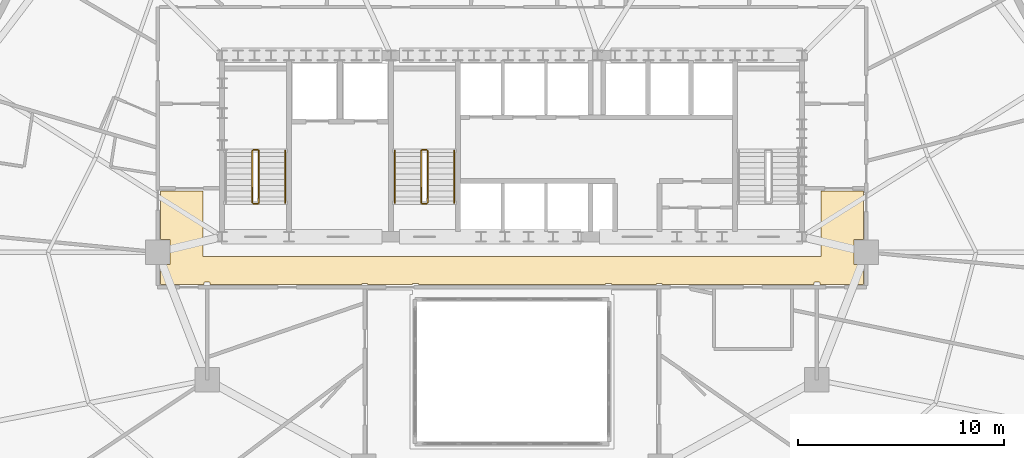
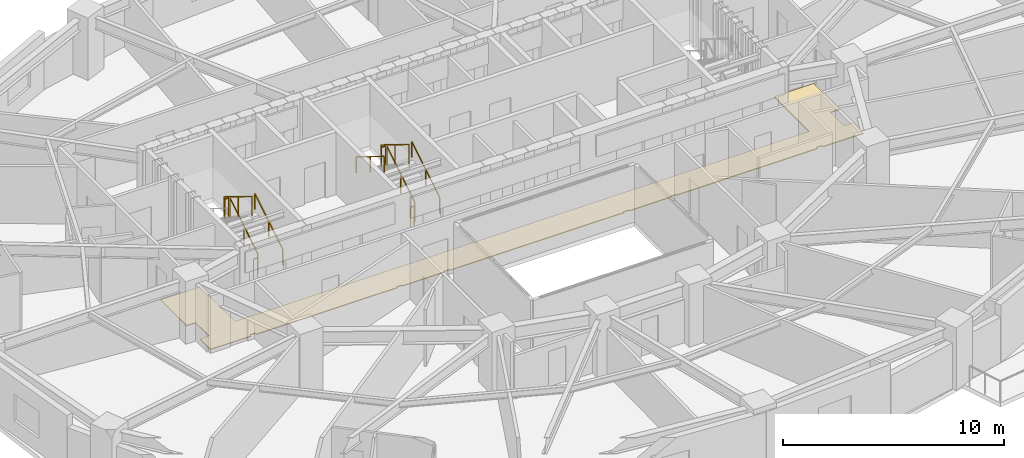
# One storey, part 13 of 14: 11 railings, 1 covering.
"""IFC4 building model written with IfcOpenShell, lengths in metres."""

from ifc_helpers import new_model, si_unit, direction, frame, origin, origin_2d, place, context, subcontext, project, spatial, polyline, rectangle, outline, extrude, material, layer, layer_set, type_object, element, save


model = new_model("IFC4")

# Units and contexts
model_context = context("Model", 3, precision=1e-05, world=origin(), true_north=direction((0.0, 1.0)))
body_context = subcontext(model_context, "Body", "Model", "MODEL_VIEW")
ifc_project = project(units=[si_unit("LENGTHUNIT", "METRE"), si_unit("AREAUNIT", "SQUARE_METRE"), si_unit("VOLUMEUNIT", "CUBIC_METRE"), si_unit("PLANEANGLEUNIT", "RADIAN"), si_unit("MASSUNIT", "GRAM", prefix="KILO")], contexts=[model_context])

# Site, building, storey
site_placement = place(None, origin())
site = spatial("IfcSite", under=ifc_project, at=site_placement, CompositionType="ELEMENT")
building_placement = place(site_placement, origin())
building = spatial("IfcBuilding", under=site, at=building_placement, Name="Haldorwick Loom Tower", CompositionType="ELEMENT")
storey_placement = place(building_placement, frame((0.0, 0.0, 102.5)))
storey = spatial("IfcBuildingStorey", under=building, at=storey_placement, Name="L27", CompositionType="ELEMENT", Elevation=102.5)

# Covering
ifc_material_1 = material(Name="Polished Aggregate Terrazzo Finish")
ifc_layer = layer(ifc_material_1, 0.044921875, Name="Polished Aggregate Terrazzo Finish")
ifc_layer_set = layer_set([ifc_layer], Name="Polished Aggregate Terrazzo Finish")
covering_type = type_object("IfcCoveringType", Name="ARC-COV-FLOOR2", PredefinedType="FLOORING", material=ifc_layer_set)
covering_placement = place(storey_placement, origin())
element("IfcCovering", 1, at=covering_placement, inside=storey, type_object=covering_type, Name="L27 Floor Finish 2", PredefinedType="FLOORING", context=body_context, shape_type="SweptSolid", body=[
    extrude(outline(polyline([(51.0, 28.9599609375), (51.0, 25.800048828125), (21.0, 25.800048828125), (21.0, 28.9599609375), (18.93994140625, 28.9599609375), (18.93994140625, 26.60791015625), (19.407958984375, 26.60791015625), (19.407958984375, 25.39208984375), (18.93994140625, 25.39208984375), (18.93994140625, 24.43994140625), (21.06005859375, 24.43994140625), (21.06005859375, 24.52001953125), (21.06005859375, 24.52197265625), (21.060302734375, 24.52392578125), (21.060791015625, 24.52587890625), (21.0615234375, 24.527587890625), (21.0625, 24.529296875), (21.0634765625, 24.531005859375), (21.064453125, 24.53271484375), (21.06591796875, 24.5341796875), (21.0673828125, 24.535400390625), (21.06884765625, 24.53662109375), (21.070556640625, 24.53759765625), (21.072265625, 24.53857421875), (21.07421875, 24.5390625), (21.076171875, 24.53955078125), (21.077880859375, 24.539794921875), (21.080078125, 24.5400390625), (21.320068359375, 24.5400390625), (21.322021484375, 24.539794921875), (21.323974609375, 24.53955078125), (21.32568359375, 24.5390625), (21.32763671875, 24.53857421875), (21.329345703125, 24.53759765625), (21.3310546875, 24.53662109375), (21.332763671875, 24.535400390625), (21.333984375, 24.5341796875), (21.33544921875, 24.53271484375), (21.336669921875, 24.531005859375), (21.337646484375, 24.529296875), (21.33837890625, 24.527587890625), (21.339111328125, 24.52587890625), (21.339599609375, 24.52392578125), (21.33984375, 24.52197265625), (21.340087890625, 24.52001953125), (21.340087890625, 24.43994140625), (28.7099609375, 24.43994140625), (28.7099609375, 24.469970703125), (28.710205078125, 24.471923828125), (28.71044921875, 24.473876953125), (28.7109375, 24.475830078125), (28.71142578125, 24.477783203125), (28.71240234375, 24.4794921875), (28.71337890625, 24.481201171875), (28.714599609375, 24.482666015625), (28.7158203125, 24.484130859375), (28.71728515625, 24.485595703125), (28.718994140625, 24.486572265625), (28.720703125, 24.487548828125), (28.722412109375, 24.488525390625), (28.72412109375, 24.489013671875), (28.72607421875, 24.489501953125), (28.72802734375, 24.489990234375), (28.72998046875, 24.489990234375), (28.969970703125, 24.489990234375), (28.971923828125, 24.489990234375), (28.973876953125, 24.489501953125), (28.975830078125, 24.489013671875), (28.977783203125, 24.488525390625), (28.9794921875, 24.487548828125), (28.981201171875, 24.486572265625), (28.982666015625, 24.485595703125), (28.984130859375, 24.484130859375), (28.985595703125, 24.482666015625), (28.986572265625, 24.481201171875), (28.987548828125, 24.4794921875), (28.988525390625, 24.477783203125), (28.989013671875, 24.475830078125), (28.989501953125, 24.473876953125), (28.989990234375, 24.471923828125), (28.989990234375, 24.469970703125), (28.989990234375, 24.43994140625), (31.179931640625, 24.43994140625), (31.179931640625, 24.469970703125), (31.18017578125, 24.471923828125), (31.180419921875, 24.473876953125), (31.180908203125, 24.475830078125), (31.181396484375, 24.477783203125), (31.182373046875, 24.4794921875), (31.183349609375, 24.481201171875), (31.1845703125, 24.482666015625), (31.185791015625, 24.484130859375), (31.187255859375, 24.485595703125), (31.18896484375, 24.486572265625), (31.190673828125, 24.487548828125), (31.1923828125, 24.488525390625), (31.194091796875, 24.489013671875), (31.196044921875, 24.489501953125), (31.197998046875, 24.489990234375), (31.199951171875, 24.489990234375), (31.43994140625, 24.489990234375), (31.44189453125, 24.489990234375), (31.44384765625, 24.489501953125), (31.44580078125, 24.489013671875), (31.44775390625, 24.488525390625), (31.449462890625, 24.487548828125), (31.451171875, 24.486572265625), (31.45263671875, 24.485595703125), (31.4541015625, 24.484130859375), (31.45556640625, 24.482666015625), (31.45654296875, 24.481201171875), (31.45751953125, 24.4794921875), (31.45849609375, 24.477783203125), (31.458984375, 24.475830078125), (31.459716796875, 24.473876953125), (31.4599609375, 24.471923828125), (31.4599609375, 24.469970703125), (31.4599609375, 24.43994140625), (40.5400390625, 24.43994140625), (40.5400390625, 24.469970703125), (40.5400390625, 24.471923828125), (40.540283203125, 24.473876953125), (40.541015625, 24.475830078125), (40.54150390625, 24.477783203125), (40.54248046875, 24.4794921875), (40.54345703125, 24.481201171875), (40.54443359375, 24.482666015625), (40.5458984375, 24.484130859375), (40.54736328125, 24.485595703125), (40.548828125, 24.486572265625), (40.550537109375, 24.487548828125), (40.55224609375, 24.488525390625), (40.55419921875, 24.489013671875), (40.55615234375, 24.489501953125), (40.55810546875, 24.489990234375), (40.56005859375, 24.489990234375), (40.800048828125, 24.489990234375), (40.802001953125, 24.489990234375), (40.803955078125, 24.489501953125), (40.805908203125, 24.489013671875), (40.8076171875, 24.488525390625), (40.809326171875, 24.487548828125), (40.81103515625, 24.486572265625), (40.812744140625, 24.485595703125), (40.814208984375, 24.484130859375), (40.8154296875, 24.482666015625), (40.816650390625, 24.481201171875), (40.817626953125, 24.4794921875), (40.818603515625, 24.477783203125), (40.819091796875, 24.475830078125), (40.819580078125, 24.473876953125), (40.81982421875, 24.471923828125), (40.820068359375, 24.469970703125), (40.820068359375, 24.43994140625), (43.010009765625, 24.43994140625), (43.010009765625, 24.469970703125), (43.010009765625, 24.471923828125), (43.010498046875, 24.473876953125), (43.010986328125, 24.475830078125), (43.011474609375, 24.477783203125), (43.012451171875, 24.4794921875), (43.013427734375, 24.481201171875), (43.014404296875, 24.482666015625), (43.015869140625, 24.484130859375), (43.017333984375, 24.485595703125), (43.018798828125, 24.486572265625), (43.0205078125, 24.487548828125), (43.022216796875, 24.488525390625), (43.024169921875, 24.489013671875), (43.026123046875, 24.489501953125), (43.028076171875, 24.489990234375), (43.030029296875, 24.489990234375), (43.27001953125, 24.489990234375), (43.27197265625, 24.489990234375), (43.27392578125, 24.489501953125), (43.27587890625, 24.489013671875), (43.277587890625, 24.488525390625), (43.279296875, 24.487548828125), (43.281005859375, 24.486572265625), (43.28271484375, 24.485595703125), (43.2841796875, 24.484130859375), (43.285400390625, 24.482666015625), (43.28662109375, 24.481201171875), (43.28759765625, 24.4794921875), (43.28857421875, 24.477783203125), (43.2890625, 24.475830078125), (43.28955078125, 24.473876953125), (43.289794921875, 24.471923828125), (43.2900390625, 24.469970703125), (43.2900390625, 24.43994140625), (50.659912109375, 24.43994140625), (50.659912109375, 24.52001953125), (50.66015625, 24.52197265625), (50.660400390625, 24.52392578125), (50.660888671875, 24.52587890625), (50.66162109375, 24.527587890625), (50.662353515625, 24.529296875), (50.663330078125, 24.531005859375), (50.66455078125, 24.53271484375), (50.666015625, 24.5341796875), (50.667236328125, 24.535400390625), (50.6689453125, 24.53662109375), (50.670654296875, 24.53759765625), (50.67236328125, 24.53857421875), (50.67431640625, 24.5390625), (50.676025390625, 24.53955078125), (50.677978515625, 24.539794921875), (50.679931640625, 24.5400390625), (50.919921875, 24.5400390625), (50.922119140625, 24.539794921875), (50.923828125, 24.53955078125), (50.92578125, 24.5390625), (50.927734375, 24.53857421875), (50.929443359375, 24.53759765625), (50.93115234375, 24.53662109375), (50.9326171875, 24.535400390625), (50.93408203125, 24.5341796875), (50.935546875, 24.53271484375), (50.9365234375, 24.531005859375), (50.9375, 24.529296875), (50.9384765625, 24.527587890625), (50.939208984375, 24.52587890625), (50.939697265625, 24.52392578125), (50.93994140625, 24.52197265625), (50.93994140625, 24.52001953125), (50.93994140625, 24.43994140625), (53.06005859375, 24.43994140625), (53.06005859375, 25.39208984375), (52.592041015625, 25.39208984375), (52.592041015625, 26.60791015625), (53.06005859375, 26.60791015625), (53.06005859375, 28.9599609375), (51.0, 28.9599609375)])), origin(), (0.0, 0.0, 1.0), 0.044921875),
])

# Railings
ifc_material_2 = material(Name="Steel CSA G40.21 350W", Category="steel")
railing_type_1 = type_object("IfcRailingType", Name="ARC-RLG-GUARD112", PredefinedType="GUARDRAIL", material=ifc_material_2)
railing_1_placement = place(storey_placement, frame((23.699951171875, 28.39990234375, 0.172607421875)))
element("IfcRailing", 2, at=railing_1_placement, inside=storey, type_object=railing_type_1, Name="L27 ST-01 stair guard 1", PredefinedType="GUARDRAIL", context=body_context, shape_type="SweptSolid", body=[
    extrude(rectangle(XDim=0.048095703125, YDim=0.048095703125, at=origin_2d()), frame((0.0, 0.0, 1.076171875), z_axis=(0.0, 0.851400495292, 0.524516154772), x_axis=(-1.0, 0.0, 0.0)), (0.0, 0.0, 1.0), 2.9599609375),
    extrude(rectangle(XDim=0.0419921875, YDim=0.0419921875, at=origin_2d()), origin(), (0.0, 0.0, 1.0), 1.052001953125),
    extrude(rectangle(XDim=0.0419921875, YDim=0.0419921875, at=origin_2d()), frame((0.0, 1.260009765625, 0.7763671875)), (0.0, 0.0, 1.0), 1.052001953125),
    extrude(rectangle(XDim=0.0419921875, YDim=0.0419921875, at=origin_2d()), frame((0.0, 2.52001953125, 1.552490234375)), (0.0, 0.0, 1.0), 1.052001953125),
])
railing_2_placement = place(storey_placement, frame((23.64990234375, 30.969970703125, 1.72509765625)))
element("IfcRailing", 3, at=railing_2_placement, inside=storey, type_object=railing_type_1, Name="L27 ST-01 stair guard 2", PredefinedType="GUARDRAIL", context=body_context, shape_type="SweptSolid", body=[
    extrude(rectangle(XDim=0.048095703125, YDim=0.048095703125, at=origin_2d()), frame((0.0, 0.0, 1.076171875), z_axis=(-1.0, 0.0, 0.0), x_axis=(0.0, -1.0, 0.0)), (0.0, 0.0, 1.0), 0.199951171875),
    extrude(rectangle(XDim=0.0419921875, YDim=0.0419921875, at=origin_2d()), origin(), (0.0, 0.0, 1.0), 1.052001953125),
    extrude(rectangle(XDim=0.0419921875, YDim=0.0419921875, at=origin_2d()), frame((-0.199951171875, 0.0, 0.0)), (0.0, 0.0, 1.0), 1.052001953125),
])
railing_3_placement = place(storey_placement, frame((23.39990234375, 30.919921875, 1.8974609375)))
element("IfcRailing", 4, at=railing_3_placement, inside=storey, type_object=railing_type_1, Name="L27 ST-01 stair guard 3", PredefinedType="GUARDRAIL", context=body_context, shape_type="SweptSolid", body=[
    extrude(rectangle(XDim=0.048095703125, YDim=0.048095703125, at=origin_2d()), frame((0.0, 0.0, 1.076171875), z_axis=(0.0, -0.851400495292, 0.524516154772), x_axis=(1.0, 0.0, 0.0)), (0.0, 0.0, 1.0), 2.9599609375),
    extrude(rectangle(XDim=0.0419921875, YDim=0.0419921875, at=origin_2d()), origin(), (0.0, 0.0, 1.0), 1.052001953125),
    extrude(rectangle(XDim=0.0419921875, YDim=0.0419921875, at=origin_2d()), frame((0.0, -1.260009765625, 0.7763671875)), (0.0, 0.0, 1.0), 1.052001953125),
    extrude(rectangle(XDim=0.0419921875, YDim=0.0419921875, at=origin_2d()), frame((0.0, -2.52001953125, 1.552490234375)), (0.0, 0.0, 1.0), 1.052001953125),
])
railing_4_placement = place(storey_placement, frame((23.64990234375, 28.35009765625, 0.0)))
element("IfcRailing", 5, at=railing_4_placement, inside=storey, type_object=railing_type_1, Name="L27 ST-01 stair guard 4", PredefinedType="GUARDRAIL", context=body_context, shape_type="SweptSolid", body=[
    extrude(rectangle(XDim=0.048095703125, YDim=0.048095703125, at=origin_2d()), frame((0.0, 0.0, 1.076171875), z_axis=(-1.0, 0.0, 0.0), x_axis=(0.0, -1.0, 0.0)), (0.0, 0.0, 1.0), 0.199951171875),
    extrude(rectangle(XDim=0.0419921875, YDim=0.0419921875, at=origin_2d()), origin(), (0.0, 0.0, 1.0), 1.052001953125),
    extrude(rectangle(XDim=0.0419921875, YDim=0.0419921875, at=origin_2d()), frame((-0.199951171875, 0.0, 0.0)), (0.0, 0.0, 1.0), 1.052001953125),
])
railing_5_placement = place(storey_placement, frame((31.89990234375, 28.39990234375, 0.172607421875)))
element("IfcRailing", 6, at=railing_5_placement, inside=storey, type_object=railing_type_1, Name="L27 ST-03 stair guard 1", PredefinedType="GUARDRAIL", context=body_context, shape_type="SweptSolid", body=[
    extrude(rectangle(XDim=0.048095703125, YDim=0.048095703125, at=origin_2d()), frame((0.0, 0.0, 1.076171875), z_axis=(0.0, 0.851400495292, 0.524516154772), x_axis=(-1.0, 0.0, 0.0)), (0.0, 0.0, 1.0), 2.9599609375),
    extrude(rectangle(XDim=0.0419921875, YDim=0.0419921875, at=origin_2d()), origin(), (0.0, 0.0, 1.0), 1.052001953125),
    extrude(rectangle(XDim=0.0419921875, YDim=0.0419921875, at=origin_2d()), frame((0.0, 1.260009765625, 0.7763671875)), (0.0, 0.0, 1.0), 1.052001953125),
    extrude(rectangle(XDim=0.0419921875, YDim=0.0419921875, at=origin_2d()), frame((0.0, 2.52001953125, 1.552490234375)), (0.0, 0.0, 1.0), 1.052001953125),
])
railing_6_placement = place(storey_placement, frame((31.85009765625, 30.969970703125, 1.72509765625)))
element("IfcRailing", 7, at=railing_6_placement, inside=storey, type_object=railing_type_1, Name="L27 ST-03 stair guard 2", PredefinedType="GUARDRAIL", context=body_context, shape_type="SweptSolid", body=[
    extrude(rectangle(XDim=0.048095703125, YDim=0.048095703125, at=origin_2d()), frame((0.0, 0.0, 1.076171875), z_axis=(-1.0, 0.0, 0.0), x_axis=(0.0, -1.0, 0.0)), (0.0, 0.0, 1.0), 0.2001953125),
    extrude(rectangle(XDim=0.0419921875, YDim=0.0419921875, at=origin_2d()), origin(), (0.0, 0.0, 1.0), 1.052001953125),
    extrude(rectangle(XDim=0.0419921875, YDim=0.0419921875, at=origin_2d()), frame((-0.2001953125, 0.0, 0.0)), (0.0, 0.0, 1.0), 1.052001953125),
])
railing_7_placement = place(storey_placement, frame((31.60009765625, 30.919921875, 1.8974609375)))
element("IfcRailing", 8, at=railing_7_placement, inside=storey, type_object=railing_type_1, Name="L27 ST-03 stair guard 3", PredefinedType="GUARDRAIL", context=body_context, shape_type="SweptSolid", body=[
    extrude(rectangle(XDim=0.048095703125, YDim=0.048095703125, at=origin_2d()), frame((0.0, 0.0, 1.076171875), z_axis=(0.0, -0.851400495292, 0.524516154772), x_axis=(1.0, 0.0, 0.0)), (0.0, 0.0, 1.0), 2.9599609375),
    extrude(rectangle(XDim=0.0419921875, YDim=0.0419921875, at=origin_2d()), origin(), (0.0, 0.0, 1.0), 1.052001953125),
    extrude(rectangle(XDim=0.0419921875, YDim=0.0419921875, at=origin_2d()), frame((0.0, -1.260009765625, 0.7763671875)), (0.0, 0.0, 1.0), 1.052001953125),
    extrude(rectangle(XDim=0.0419921875, YDim=0.0419921875, at=origin_2d()), frame((0.0, -2.52001953125, 1.552490234375)), (0.0, 0.0, 1.0), 1.052001953125),
])
railing_8_placement = place(storey_placement, frame((31.85009765625, 28.35009765625, 0.0)))
element("IfcRailing", 9, at=railing_8_placement, inside=storey, type_object=railing_type_1, Name="L27 ST-03 stair guard 4", PredefinedType="GUARDRAIL", context=body_context, shape_type="SweptSolid", body=[
    extrude(rectangle(XDim=0.048095703125, YDim=0.048095703125, at=origin_2d()), frame((0.0, 0.0, 1.076171875), z_axis=(-1.0, 0.0, 0.0), x_axis=(0.0, -1.0, 0.0)), (0.0, 0.0, 1.0), 0.2001953125),
    extrude(rectangle(XDim=0.0419921875, YDim=0.0419921875, at=origin_2d()), origin(), (0.0, 0.0, 1.0), 1.052001953125),
    extrude(rectangle(XDim=0.0419921875, YDim=0.0419921875, at=origin_2d()), frame((-0.2001953125, 0.0, 0.0)), (0.0, 0.0, 1.0), 1.052001953125),
])
railing_type_2 = type_object("IfcRailingType", Name="ARC-RLG-HAND092", PredefinedType="HANDRAIL", material=ifc_material_2)
for number, where, name in (
    (10, (25.0, 28.39990234375, 0.172607421875), "L27 ST-01 stair handrail 1"),
    (11, (33.199951171875, 28.39990234375, 0.172607421875), "L27 ST-03 stair handrail 1"),
):
    element("IfcRailing", number, at=place(storey_placement, frame(where)), inside=storey, type_object=railing_type_2, Name=name, PredefinedType="HANDRAIL", context=body_context, shape_type="SweptSolid", body=[
        extrude(rectangle(XDim=0.048095703125, YDim=0.048095703125, at=origin_2d()), frame((0.0, 0.0, 0.8759765625), z_axis=(0.0, 0.851400495292, 0.524516154772), x_axis=(-1.0, 0.0, 0.0)), (0.0, 0.0, 1.0), 2.9599609375),
        extrude(rectangle(XDim=0.0419921875, YDim=0.0419921875, at=origin_2d()), origin(), (0.0, 0.0, 1.0), 0.851806640625),
        extrude(rectangle(XDim=0.0419921875, YDim=0.0419921875, at=origin_2d()), frame((0.0, 1.260009765625, 0.7763671875)), (0.0, 0.0, 1.0), 0.851806640625),
        extrude(rectangle(XDim=0.0419921875, YDim=0.0419921875, at=origin_2d()), frame((0.0, 2.52001953125, 1.552490234375)), (0.0, 0.0, 1.0), 0.851806640625),
    ])
railing_9_placement = place(storey_placement, frame((30.300048828125, 30.919921875, 1.8974609375)))
element("IfcRailing", 12, at=railing_9_placement, inside=storey, type_object=railing_type_2, Name="L27 ST-03 stair handrail 2", PredefinedType="HANDRAIL", context=body_context, shape_type="SweptSolid", body=[
    extrude(rectangle(XDim=0.048095703125, YDim=0.048095703125, at=origin_2d()), frame((0.0, 0.0, 0.8759765625), z_axis=(0.0, -0.851400495292, 0.524516154772), x_axis=(1.0, 0.0, 0.0)), (0.0, 0.0, 1.0), 2.9599609375),
    extrude(rectangle(XDim=0.0419921875, YDim=0.0419921875, at=origin_2d()), origin(), (0.0, 0.0, 1.0), 0.851806640625),
    extrude(rectangle(XDim=0.0419921875, YDim=0.0419921875, at=origin_2d()), frame((0.0, -1.260009765625, 0.7763671875)), (0.0, 0.0, 1.0), 0.851806640625),
    extrude(rectangle(XDim=0.0419921875, YDim=0.0419921875, at=origin_2d()), frame((0.0, -2.52001953125, 1.552490234375)), (0.0, 0.0, 1.0), 0.851806640625),
])

save(model, "model.ifc")
